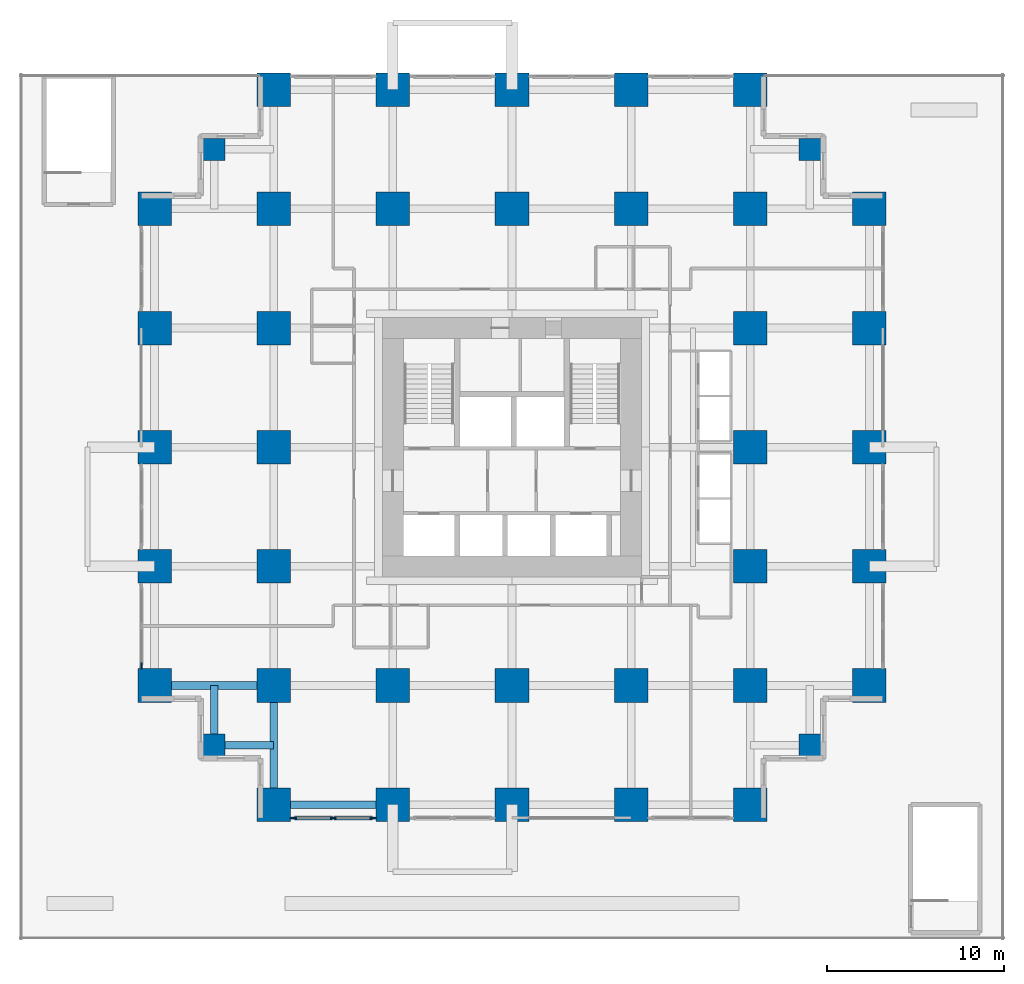
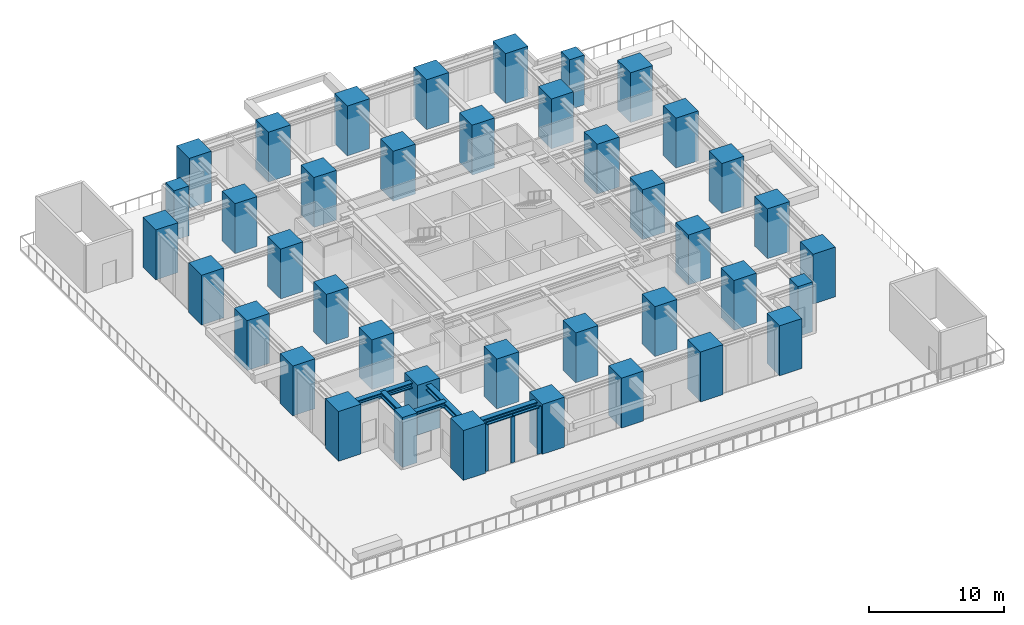
# One storey, part 1 of 9: 40 columns, 6 members, 5 beams, 2 elements without a shape of their own.
"""IFC4 building model written with IfcOpenShell, lengths in metres."""

from ifc_helpers import new_model, si_unit, direction, frame, origin, origin_2d, place, context, subcontext, project, spatial, rectangle, i_section, extrude, material, material_profile, profile_set, type_object, element, aggregate, save


model = new_model("IFC4")

# Units and contexts
model_context = context("Model", 3, precision=1e-05, world=origin(), true_north=direction((0.0, 1.0)))
body_context = subcontext(model_context, "Body", "Model", "MODEL_VIEW")
ifc_project = project(units=[si_unit("LENGTHUNIT", "METRE"), si_unit("AREAUNIT", "SQUARE_METRE"), si_unit("VOLUMEUNIT", "CUBIC_METRE"), si_unit("PLANEANGLEUNIT", "RADIAN"), si_unit("MASSUNIT", "GRAM", prefix="KILO")], contexts=[model_context])

# Site, building, storey
site_placement = place(None, origin())
site = spatial("IfcSite", under=ifc_project, at=site_placement, CompositionType="ELEMENT")
building_placement = place(site_placement, origin())
building = spatial("IfcBuilding", under=site, at=building_placement, Name="Nyansa Garden Tower", CompositionType="ELEMENT")
storey_placement = place(building_placement, frame((0.0, 0.0, 13.5)))
storey = spatial("IfcBuildingStorey", under=building, at=storey_placement, Name="L03", CompositionType="ELEMENT", Elevation=13.5)

# Columns
ifc_material_1 = material(Name="Concrete C70/85", Category="concrete")
ifc_material_profile_1 = material_profile(ifc_material_1, rectangle(XDim=1.25, YDim=1.25, at=origin_2d()), Name="RC 1250x1250")
ifc_profile_set_1 = profile_set([ifc_material_profile_1], Name="Concrete C70/85")
column_type_1 = type_object("IfcColumnType", Name="Column C125 RC 1250x1250", PredefinedType="COLUMN", material=ifc_profile_set_1)
for number, where, z_axis, x_axis, name in (
    (1, (3.375, 3.375, 0.0), (0.0, 0.0, 1.0), (1.0, 0.0, 0.0), "Column x3.375/y3.375 L03"),
    (2, (3.375, 37.125, 0.0), (0.0, 0.0, 1.0), (1.0, 0.0, 0.0), "Column x3.375/y37.125 L03"),
    (3, (37.125, 3.375, 0.0), (0.0, 0.0, 1.0), (1.0, 0.0, 0.0), "Column x37.125/y3.375 L03"),
    (4, (37.125, 37.125, 0.0), (0.0, 0.0, 1.0), (1.0, 0.0, 0.0), "Column x37.125/y37.125 L03"),
):
    element("IfcColumn", number, at=place(storey_placement, frame(where, z_axis=z_axis, x_axis=x_axis)), inside=storey, type_object=column_type_1, Name=name, PredefinedType="COLUMN", context=body_context, shape_type="SweptSolid", body=[
        extrude(rectangle(XDim=1.25, YDim=1.25, at=origin_2d()), origin(), (0.0, 0.0, 1.0), 4.5),
    ])
ifc_material_2 = material(Name="Concrete C80/95", Category="concrete")
ifc_material_profile_2 = material_profile(ifc_material_2, rectangle(XDim=1.89990234375, YDim=1.89990234375, at=origin_2d()), Name="RC 1900x1900")
ifc_profile_set_2 = profile_set([ifc_material_profile_2], Name="Concrete C80/95")
column_type_2 = type_object("IfcColumnType", Name="Column C190 RC 1900x1900", PredefinedType="COLUMN", material=ifc_profile_set_2)
for number, where, z_axis, x_axis, name in (
    (5, (0.0, 6.75, 0.0), (0.0, 0.0, 1.0), (1.0, 0.0, 0.0), "Column 2/E L03"),
    (6, (0.0, 13.5, 0.0), (0.0, 0.0, 1.0), (1.0, 0.0, 0.0), "Column 2/F L03"),
    (7, (0.0, 20.25, 0.0), (0.0, 0.0, 1.0), (1.0, 0.0, 0.0), "Column 2/G L03"),
    (8, (0.0, 27.0, 0.0), (0.0, 0.0, 1.0), (1.0, 0.0, 0.0), "Column 2/H L03"),
    (9, (0.0, 33.75, 0.0), (0.0, 0.0, 1.0), (1.0, 0.0, 0.0), "Column 2/J L03"),
    (10, (6.75, 0.0, 0.0), (0.0, 0.0, 1.0), (1.0, 0.0, 0.0), "Column 3/D L03"),
    (11, (6.75, 6.75, 0.0), (0.0, 0.0, 1.0), (1.0, 0.0, 0.0), "Column 3/E L03"),
    (12, (6.75, 13.5, 0.0), (0.0, 0.0, 1.0), (1.0, 0.0, 0.0), "Column 3/F L03"),
    (13, (6.75, 20.25, 0.0), (0.0, 0.0, 1.0), (1.0, 0.0, 0.0), "Column 3/G L03"),
    (14, (6.75, 27.0, 0.0), (0.0, 0.0, 1.0), (1.0, 0.0, 0.0), "Column 3/H L03"),
    (15, (6.75, 33.75, 0.0), (0.0, 0.0, 1.0), (1.0, 0.0, 0.0), "Column 3/J L03"),
    (16, (6.75, 40.5, 0.0), (0.0, 0.0, 1.0), (1.0, 0.0, 0.0), "Column 3/K L03"),
    (17, (13.5, 0.0, 0.0), (0.0, 0.0, 1.0), (1.0, 0.0, 0.0), "Column 4/D L03"),
    (18, (13.5, 6.75, 0.0), (0.0, 0.0, 1.0), (1.0, 0.0, 0.0), "Column 4/E L03"),
    (19, (13.5, 33.75, 0.0), (0.0, 0.0, 1.0), (1.0, 0.0, 0.0), "Column 4/J L03"),
    (20, (13.5, 40.5, 0.0), (0.0, 0.0, 1.0), (1.0, 0.0, 0.0), "Column 4/K L03"),
    (21, (20.25, 0.0, 0.0), (0.0, 0.0, 1.0), (1.0, 0.0, 0.0), "Column 5/D L03"),
    (22, (20.25, 6.75, 0.0), (0.0, 0.0, 1.0), (1.0, 0.0, 0.0), "Column 5/E L03"),
    (23, (20.25, 33.75, 0.0), (0.0, 0.0, 1.0), (1.0, 0.0, 0.0), "Column 5/J L03"),
    (24, (20.25, 40.5, 0.0), (0.0, 0.0, 1.0), (1.0, 0.0, 0.0), "Column 5/K L03"),
    (25, (27.0, 0.0, 0.0), (0.0, 0.0, 1.0), (1.0, 0.0, 0.0), "Column 6/D L03"),
    (26, (27.0, 6.75, 0.0), (0.0, 0.0, 1.0), (1.0, 0.0, 0.0), "Column 6/E L03"),
    (27, (27.0, 33.75, 0.0), (0.0, 0.0, 1.0), (1.0, 0.0, 0.0), "Column 6/J L03"),
    (28, (27.0, 40.5, 0.0), (0.0, 0.0, 1.0), (1.0, 0.0, 0.0), "Column 6/K L03"),
    (29, (33.75, 0.0, 0.0), (0.0, 0.0, 1.0), (1.0, 0.0, 0.0), "Column 7/D L03"),
    (30, (33.75, 6.75, 0.0), (0.0, 0.0, 1.0), (1.0, 0.0, 0.0), "Column 7/E L03"),
    (31, (33.75, 13.5, 0.0), (0.0, 0.0, 1.0), (1.0, 0.0, 0.0), "Column 7/F L03"),
    (32, (33.75, 20.25, 0.0), (0.0, 0.0, 1.0), (1.0, 0.0, 0.0), "Column 7/G L03"),
    (33, (33.75, 27.0, 0.0), (0.0, 0.0, 1.0), (1.0, 0.0, 0.0), "Column 7/H L03"),
    (34, (33.75, 33.75, 0.0), (0.0, 0.0, 1.0), (1.0, 0.0, 0.0), "Column 7/J L03"),
    (35, (33.75, 40.5, 0.0), (0.0, 0.0, 1.0), (1.0, 0.0, 0.0), "Column 7/K L03"),
    (36, (40.5, 6.75, 0.0), (0.0, 0.0, 1.0), (1.0, 0.0, 0.0), "Column 8/E L03"),
    (37, (40.5, 13.5, 0.0), (0.0, 0.0, 1.0), (1.0, 0.0, 0.0), "Column 8/F L03"),
    (38, (40.5, 20.25, 0.0), (0.0, 0.0, 1.0), (1.0, 0.0, 0.0), "Column 8/G L03"),
    (39, (40.5, 27.0, 0.0), (0.0, 0.0, 1.0), (1.0, 0.0, 0.0), "Column 8/H L03"),
    (40, (40.5, 33.75, 0.0), (0.0, 0.0, 1.0), (1.0, 0.0, 0.0), "Column 8/J L03"),
):
    element("IfcColumn", number, at=place(storey_placement, frame(where, z_axis=z_axis, x_axis=x_axis)), inside=storey, type_object=column_type_2, Name=name, PredefinedType="COLUMN", context=body_context, shape_type="SweptSolid", body=[
        extrude(rectangle(XDim=1.89990234375, YDim=1.89990234375, at=origin_2d()), origin(), (0.0, 0.0, 1.0), 4.5),
    ])

# Curtain wall, member
ifc_material_3 = material(Name="Black anodised aluminium, clear double glazing", Category="aluminium")
curtain_wall_type = type_object("IfcCurtainWallType", Name="Podium curtain wall PCW", PredefinedType="USERDEFINED", material=ifc_material_3)
curtain_wall_1_placement = place(storey_placement, origin())
curtain_wall_1 = element("IfcCurtainWall", 41, at=curtain_wall_1_placement, inside=storey, type_object=curtain_wall_type, Name="Podium curtain wall L03 W", ObjectType="STICK CURTAIN WALL", PredefinedType="USERDEFINED")
ifc_material_4 = material(Name="Black anodised aluminium", Category="aluminium")
ifc_material_profile_3 = material_profile(ifc_material_4, rectangle(XDim=0.080078125, YDim=0.35009765625, at=origin_2d()), Name="Mullion 350x80")
ifc_profile_set_3 = profile_set([ifc_material_profile_3], Name="Black anodised aluminium")
member_type_1 = type_object("IfcMemberType", Name="Mullion PCW 350x80", PredefinedType="MULLION", material=ifc_profile_set_3)
member_1_placement = place(storey_placement, frame((-0.75, 7.875, 0.0), z_axis=(0.0, 0.0, 1.0), x_axis=(1.0, 0.0, 0.0)))
member_1 = element("IfcMember", 42, at=member_1_placement, type_object=member_type_1, Name="PCW mullion 3", PredefinedType="MULLION", context=body_context, shape_type="SweptSolid", body=[
    extrude(rectangle(XDim=0.080078125, YDim=0.35009765625, at=origin_2d()), origin(), (0.0, 0.0, 1.0), 4.27490234375),
])
aggregate(curtain_wall_1, [member_1])

# Curtain wall, members
curtain_wall_2_placement = place(storey_placement, origin())
curtain_wall_2 = element("IfcCurtainWall", 43, at=curtain_wall_2_placement, inside=storey, type_object=curtain_wall_type, Name="Podium curtain wall L03 S", ObjectType="STICK CURTAIN WALL", PredefinedType="USERDEFINED")
member_2_placement = place(storey_placement, frame((7.875, -0.75, 0.0), z_axis=(0.0, 0.0, 1.0), x_axis=(0.0, 1.0, 0.0)))
member_2 = element("IfcMember", 44, at=member_2_placement, type_object=member_type_1, Name="PCW mullion 1", PredefinedType="MULLION", context=body_context, shape_type="SweptSolid", body=[
    extrude(rectangle(XDim=0.080078125, YDim=0.35009765625, at=origin_2d()), origin(), (0.0, 0.0, 1.0), 4.27490234375),
])
member_3_placement = place(storey_placement, frame((10.125, -0.75, 0.0), z_axis=(0.0, 0.0, 1.0), x_axis=(0.0, 1.0, 0.0)))
member_3 = element("IfcMember", 45, at=member_3_placement, type_object=member_type_1, Name="PCW mullion 2", PredefinedType="MULLION", context=body_context, shape_type="SweptSolid", body=[
    extrude(rectangle(XDim=0.080078125, YDim=0.35009765625, at=origin_2d()), origin(), (0.0, 0.0, 1.0), 4.27490234375),
])
member_4_placement = place(storey_placement, frame((12.375, -0.75, 0.0), z_axis=(0.0, 0.0, 1.0), x_axis=(0.0, 1.0, 0.0)))
member_4 = element("IfcMember", 46, at=member_4_placement, type_object=member_type_1, Name="PCW mullion 3", PredefinedType="MULLION", context=body_context, shape_type="SweptSolid", body=[
    extrude(rectangle(XDim=0.080078125, YDim=0.35009765625, at=origin_2d()), origin(), (0.0, 0.0, 1.0), 4.27490234375),
])

# Beams
ifc_material_5 = material(Name="Steel S355", Category="steel")
ifc_material_profile_4 = material_profile(ifc_material_5, i_section(OverallWidth=0.431884765625, OverallDepth=0.498046875, WebThickness=0.0556640625, FlangeThickness=0.0888671875, FilletRadius=0.014892578125, at=origin_2d()), Name="HD 400x744")
ifc_profile_set_4 = profile_set([ifc_material_profile_4], Name="Steel S355")
beam_type_1 = type_object("IfcBeamType", Name="Steel beam SBA1-744 HD 400x744", PredefinedType="BEAM", material=ifc_profile_set_4)
for number, where, z_axis, x_axis, name in (
    (47, (0.0, 6.75, 4.02587890625), (1.0, 0.0, 0.0), (0.0, 1.0, 0.0), "Steel beam 2/E-3/E L04"),
    (48, (6.75, 0.0, 4.02587890625), (0.0, 1.0, 0.0), (-1.0, 0.0, 0.0), "Steel beam 3/D-3/E L04"),
):
    element("IfcBeam", number, at=place(storey_placement, frame(where, z_axis=z_axis, x_axis=x_axis)), inside=storey, type_object=beam_type_1, Name=name, PredefinedType="BEAM", context=body_context, shape_type="SweptSolid", body=[
        extrude(i_section(OverallWidth=0.431884765625, OverallDepth=0.498046875, WebThickness=0.0556640625, FlangeThickness=0.0888671875, FilletRadius=0.014892578125, at=origin_2d()), origin(), (0.0, 0.0, 1.0), 6.75),
    ])
ifc_material_6 = material(Name="Steel S355", Category="steel")
ifc_material_profile_5 = material_profile(ifc_material_6, i_section(OverallWidth=0.431884765625, OverallDepth=0.498046875, WebThickness=0.0556640625, FlangeThickness=0.0888671875, FilletRadius=0.014892578125, at=origin_2d()), Name="HD 400x744")
ifc_profile_set_5 = profile_set([ifc_material_profile_5], Name="Steel S355")
beam_type_2 = type_object("IfcBeamType", Name="Steel beam SEBA-744 HD 400x744", PredefinedType="BEAM", material=ifc_profile_set_5)
beam_placement = place(storey_placement, frame((6.75, 0.0, 4.02587890625), z_axis=(1.0, 0.0, 0.0), x_axis=(0.0, 1.0, 0.0)))
element("IfcBeam", 49, at=beam_placement, inside=storey, type_object=beam_type_2, Name="Steel edge beam 3/D-4/D L04", PredefinedType="BEAM", context=body_context, shape_type="SweptSolid", body=[
    extrude(i_section(OverallWidth=0.431884765625, OverallDepth=0.498046875, WebThickness=0.0556640625, FlangeThickness=0.0888671875, FilletRadius=0.014892578125, at=origin_2d()), origin(), (0.0, 0.0, 1.0), 6.75),
])
ifc_material_7 = material(Name="Steel S355", Category="steel")
ifc_material_profile_6 = material_profile(ifc_material_7, i_section(OverallWidth=0.431884765625, OverallDepth=0.498046875, WebThickness=0.0556640625, FlangeThickness=0.0888671875, FilletRadius=0.014892578125, at=origin_2d()), Name="HD 400x744")
ifc_profile_set_6 = profile_set([ifc_material_profile_6], Name="Steel S355")
beam_type_3 = type_object("IfcBeamType", Name="Steel beam SSB1-744 HD 400x744", PredefinedType="BEAM", material=ifc_profile_set_6)
for number, where, z_axis, x_axis, name in (
    (50, (3.375, 3.375, 4.02587890625), (0.0, 1.0, 0.0), (-1.0, 0.0, 0.0), "Steel step beam 3.375/3.375 L04"),
    (51, (3.375, 3.375, 4.02587890625), (1.0, 0.0, 0.0), (0.0, 1.0, 0.0), "Steel step beam 3.375/3.375 L04"),
):
    element("IfcBeam", number, at=place(storey_placement, frame(where, z_axis=z_axis, x_axis=x_axis)), inside=storey, type_object=beam_type_3, Name=name, PredefinedType="BEAM", context=body_context, shape_type="SweptSolid", body=[
        extrude(i_section(OverallWidth=0.431884765625, OverallDepth=0.498046875, WebThickness=0.0556640625, FlangeThickness=0.0888671875, FilletRadius=0.014892578125, at=origin_2d()), origin(), (0.0, 0.0, 1.0), 3.375),
    ])

# Member
ifc_material_8 = material(Name="Black anodised aluminium", Category="aluminium")
ifc_material_profile_7 = material_profile(ifc_material_8, rectangle(XDim=0.219970703125, YDim=0.080078125, at=origin_2d()), Name="Transom 220x80")
ifc_profile_set_7 = profile_set([ifc_material_profile_7], Name="Black anodised aluminium")
member_type_2 = type_object("IfcMemberType", Name="Transom PCW 220x80", PredefinedType="USERDEFINED", material=ifc_profile_set_7)
member_5_placement = place(storey_placement, frame((7.9150390625, -0.75, 4.235107421875), z_axis=(1.0, 0.0, 0.0), x_axis=(0.0, 1.0, 0.0)))
member_5 = element("IfcMember", 52, at=member_5_placement, type_object=member_type_2, Name="PCW transom 1", ObjectType="TRANSOM", PredefinedType="USERDEFINED", context=body_context, shape_type="SweptSolid", body=[
    extrude(rectangle(XDim=0.219970703125, YDim=0.080078125, at=origin_2d()), origin(), (0.0, 0.0, 1.0), 2.169921875),
])

member_6_placement = place(storey_placement, frame((10.1650390625, -0.75, 4.235107421875), z_axis=(1.0, 0.0, 0.0), x_axis=(0.0, 1.0, 0.0)))
member_6 = element("IfcMember", 53, at=member_6_placement, type_object=member_type_2, Name="PCW transom 2", ObjectType="TRANSOM", PredefinedType="USERDEFINED", context=body_context, shape_type="SweptSolid", body=[
    extrude(rectangle(XDim=0.219970703125, YDim=0.080078125, at=origin_2d()), origin(), (0.0, 0.0, 1.0), 2.169921875),
])

aggregate(curtain_wall_2, [member_2, member_3, member_4, member_5, member_6])

save(model, "model.ifc")
